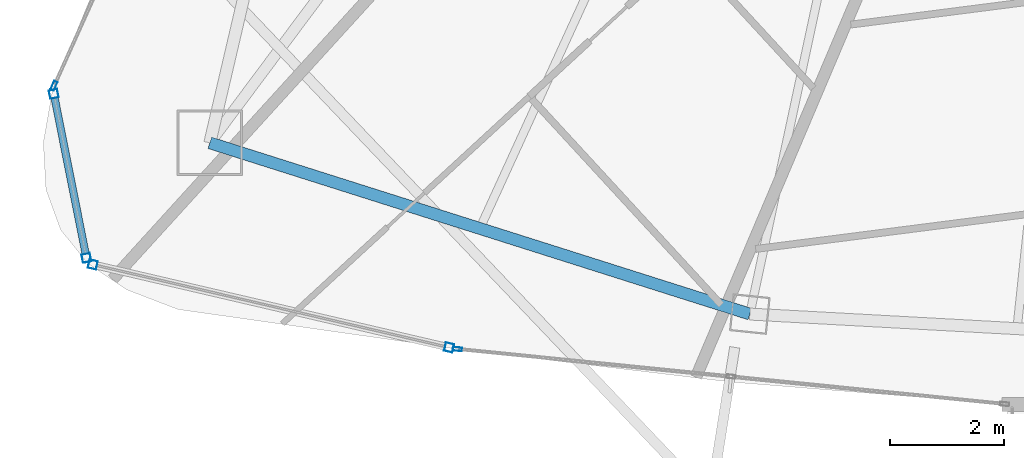
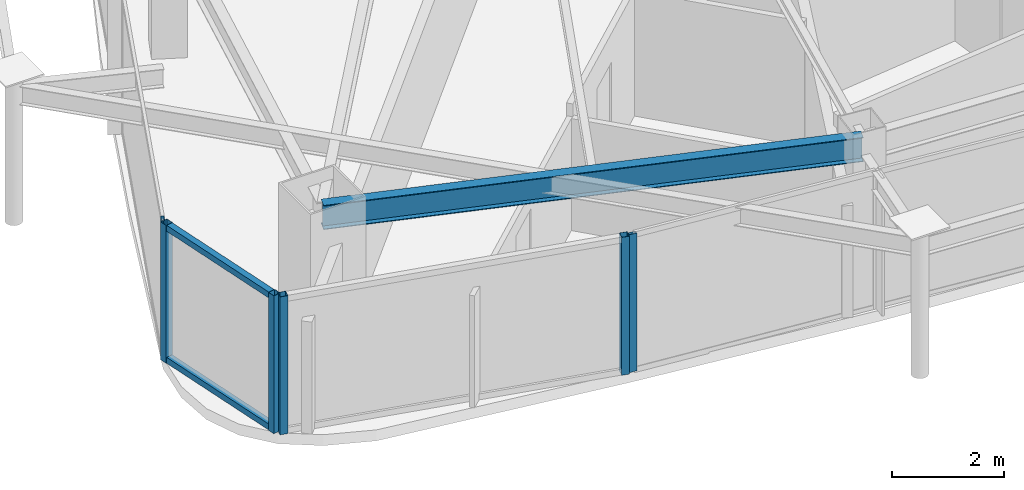
# One storey, part 2 of 30: 8 members, 1 beam, 4 elements without a shape of their own.
"""IFC4 building model written with IfcOpenShell, lengths in metres."""

from ifc_helpers import new_model, si_unit, direction, frame, origin, origin_2d, place, context, subcontext, project, spatial, hollow_rectangle, i_section, extrude, material, layer, layer_set, material_profile, profile_set, type_object, element, aggregate, save


model = new_model("IFC4")

# Units and contexts
model_context = context("Model", 3, precision=1e-05, world=origin(), true_north=direction((0.0, 1.0)))
body_context = subcontext(model_context, "Body", "Model", "MODEL_VIEW")
ifc_project = project(units=[si_unit("LENGTHUNIT", "METRE"), si_unit("AREAUNIT", "SQUARE_METRE"), si_unit("VOLUMEUNIT", "CUBIC_METRE"), si_unit("PLANEANGLEUNIT", "RADIAN"), si_unit("MASSUNIT", "GRAM", prefix="KILO")], contexts=[model_context])

# Site, building, storey
site_placement = place(None, origin())
site = spatial("IfcSite", under=ifc_project, at=site_placement, CompositionType="ELEMENT")
building_placement = place(site_placement, origin())
building = spatial("IfcBuilding", under=site, at=building_placement, Name="Orvanel Arch Residences", CompositionType="ELEMENT")
storey_placement = place(building_placement, frame((0.0, 0.0, 273.35009765625)))
storey = spatial("IfcBuildingStorey", under=building, at=storey_placement, Name="L78", CompositionType="ELEMENT", Elevation=273.35009765625)

# Curtain wall, members
ifc_material_1 = material(Name="Bronze-anodised aluminium AA6063-T6", Category="aluminium")
ifc_layer_1 = layer(ifc_material_1, 0.18994140625)
ifc_layer_set_1 = layer_set([ifc_layer_1], Name="Bronze-anodised aluminium AA6063-T6")
curtain_wall_type_1 = type_object("IfcCurtainWallType", Name="CW5-CRN-SYS", PredefinedType="NOTDEFINED", material=ifc_layer_set_1)
curtain_wall_1_placement = place(storey_placement, origin())
curtain_wall_1 = element("IfcCurtainWall", 1, at=curtain_wall_1_placement, inside=storey, type_object=curtain_wall_type_1, Name="L78 CW5-CRN-SYS Unitised Curtain Wall", PredefinedType="NOTDEFINED")
ifc_material_profile_1 = material_profile(ifc_material_1, hollow_rectangle(XDim=0.14990234375, YDim=0.14990234375, WallThickness=0.0048828125, at=origin_2d()), Name="ALU150x150x5")
ifc_profile_set_1 = profile_set([ifc_material_profile_1], Name="Bronze-anodised aluminium AA6063-T6")
member_type_1 = type_object("IfcMemberType", Name="MUL-150x150", PredefinedType="MULLION", material=ifc_profile_set_1)
member_1_placement = place(storey_placement, frame((11.46875, 11.20751953125, 0.0), z_axis=(0.0, 0.0, 1.0), x_axis=(0.980742821392, 0.195303656616, 0.0)))
member_1 = element("IfcMember", 2, at=member_1_placement, type_object=member_type_1, Name="CW-S5 mullion 1", PredefinedType="MULLION", context=body_context, shape_type="SweptSolid", body=[
    extrude(hollow_rectangle(XDim=0.14990234375, YDim=0.14990234375, WallThickness=0.0048828125, at=origin_2d()), origin(), (0.0, 0.0, 1.0), 3.02001953125),
])
member_2_placement = place(storey_placement, frame((12.040283203125, 8.336669921875, 0.0), z_axis=(0.0, 0.0, 1.0), x_axis=(0.980742821392, 0.195303656616, 0.0)))
member_2 = element("IfcMember", 3, at=member_2_placement, type_object=member_type_1, Name="CW-S5 mullion 2", PredefinedType="MULLION", context=body_context, shape_type="SweptSolid", body=[
    extrude(hollow_rectangle(XDim=0.14990234375, YDim=0.14990234375, WallThickness=0.0048828125, at=origin_2d()), origin(), (0.0, 0.0, 1.0), 3.02001953125),
])

curtain_wall_2_placement = place(storey_placement, origin())
curtain_wall_2 = element("IfcCurtainWall", 4, at=curtain_wall_2_placement, inside=storey, type_object=curtain_wall_type_1, Name="L78 CW5-CRN-SYS Unitised Curtain Wall", PredefinedType="NOTDEFINED")
member_3_placement = place(storey_placement, frame((12.151123046875, 8.220947265625, 0.0), z_axis=(0.0, 0.0, 1.0), x_axis=(0.226776107589, 0.973946916945, 0.0)))
member_3 = element("IfcMember", 5, at=member_3_placement, type_object=member_type_1, Name="CW-S5 mullion 1", PredefinedType="MULLION", context=body_context, shape_type="SweptSolid", body=[
    extrude(hollow_rectangle(XDim=0.14990234375, YDim=0.14990234375, WallThickness=0.0048828125, at=origin_2d()), origin(), (0.0, 0.0, 1.0), 3.02001953125),
])
member_4_placement = place(storey_placement, frame((18.386962890625, 6.76904296875, 0.0), z_axis=(0.0, 0.0, 1.0), x_axis=(0.226776107589, 0.973946916945, 0.0)))
member_4 = element("IfcMember", 6, at=member_4_placement, type_object=member_type_1, Name="CW-S5 mullion 2", PredefinedType="MULLION", context=body_context, shape_type="SweptSolid", body=[
    extrude(hollow_rectangle(XDim=0.14990234375, YDim=0.14990234375, WallThickness=0.0048828125, at=origin_2d()), origin(), (0.0, 0.0, 1.0), 3.02001953125),
])
aggregate(curtain_wall_2, [member_3, member_4])

# Curtain wall, member
ifc_layer_2 = layer(ifc_material_1, 0.175048828125)
ifc_layer_set_2 = layer_set([ifc_layer_2], Name="Bronze-anodised aluminium AA6063-T6")
curtain_wall_type_2 = type_object("IfcCurtainWallType", Name="CW4-HI-SYS", PredefinedType="NOTDEFINED", material=ifc_layer_set_2)
curtain_wall_3_placement = place(storey_placement, origin())
curtain_wall_3 = element("IfcCurtainWall", 7, at=curtain_wall_3_placement, inside=storey, type_object=curtain_wall_type_2, Name="L78 CW4-HI-SYS Unitised Curtain Wall", PredefinedType="NOTDEFINED")
ifc_material_profile_2 = material_profile(ifc_material_1, hollow_rectangle(XDim=0.06494140625, YDim=0.159912109375, WallThickness=0.00390625, at=origin_2d()), Name="ALU160x65x4")
ifc_profile_set_2 = profile_set([ifc_material_profile_2], Name="Bronze-anodised aluminium AA6063-T6")
member_type_2 = type_object("IfcMemberType", Name="MUL-160x65", PredefinedType="MULLION", material=ifc_profile_set_2)
member_5_placement = place(storey_placement, frame((11.471435546875, 11.3486328125, 0.0), z_axis=(0.0, 0.0, 1.0), x_axis=(0.912157920998, -0.409838903913, 0.0)))
member_5 = element("IfcMember", 8, at=member_5_placement, type_object=member_type_2, Name="CW-S4 mullion 3", PredefinedType="MULLION", context=body_context, shape_type="SweptSolid", body=[
    extrude(hollow_rectangle(XDim=0.06494140625, YDim=0.159912109375, WallThickness=0.00390625, at=origin_2d()), origin(), (0.0, 0.0, 1.0), 3.02001953125),
])
aggregate(curtain_wall_3, [member_5])

curtain_wall_4_placement = place(storey_placement, origin())
curtain_wall_4 = element("IfcCurtainWall", 9, at=curtain_wall_4_placement, inside=storey, type_object=curtain_wall_type_2, Name="L78 CW4-HI-SYS Unitised Curtain Wall", PredefinedType="NOTDEFINED")
member_6_placement = place(storey_placement, frame((18.53125, 6.74169921875, 0.0), z_axis=(0.0, 0.0, 1.0), x_axis=(0.100004397711, 0.99498699511, 0.0)))
member_6 = element("IfcMember", 10, at=member_6_placement, type_object=member_type_2, Name="CW-S4 mullion 1", PredefinedType="MULLION", context=body_context, shape_type="SweptSolid", body=[
    extrude(hollow_rectangle(XDim=0.06494140625, YDim=0.159912109375, WallThickness=0.00390625, at=origin_2d()), origin(), (0.0, 0.0, 1.0), 3.02001953125),
])
aggregate(curtain_wall_4, [member_6])

# Beam
ifc_material_2 = material(Name="Structural steel AS/NZS 3679.1 Grade 300 (300 MPa)", Category="steel")
ifc_material_profile_3 = material_profile(ifc_material_2, i_section(OverallWidth=0.208984375, OverallDepth=0.532958984375, WebThickness=0.01025390625, FlangeThickness=0.015625, at=origin_2d()), Name="530UB92.4")
ifc_profile_set_3 = profile_set([ifc_material_profile_3], Name="Structural steel AS/NZS 3679.1 Grade 300 (300 MPa)")
beam_type = type_object("IfcBeamType", Name="SP-530UB", PredefinedType="SPANDREL", material=ifc_profile_set_3)
beam_placement = place(storey_placement, frame((14.198974609375, 10.35107421875, 2.7529296875), z_axis=(0.953237386592, -0.302222574941, 0.0), x_axis=(0.302222574941, 0.953237386592, 0.0)))
element("IfcBeam", 11, at=beam_placement, inside=storey, type_object=beam_type, Name="L78 Perimeter Spandrel Beam 02", PredefinedType="SPANDREL", context=body_context, shape_type="SweptSolid", body=[
    extrude(i_section(OverallWidth=0.208984375, OverallDepth=0.532958984375, WebThickness=0.01025390625, FlangeThickness=0.015625, at=origin_2d()), origin(), (0.0, 0.0, 1.0), 9.91357421875),
])

# Member
ifc_material_profile_4 = material_profile(ifc_material_1, hollow_rectangle(XDim=0.1298828125, YDim=0.1298828125, WallThickness=0.00439453125, at=origin_2d()), Name="ALU130x130x4.5")
ifc_profile_set_4 = profile_set([ifc_material_profile_4], Name="Bronze-anodised aluminium AA6063-T6")
member_type_3 = type_object("IfcMemberType", Name="TRN-130x130", PredefinedType="USERDEFINED", material=ifc_profile_set_4)
member_7_placement = place(storey_placement, frame((11.4833984375, 11.1337890625, 0.06494140625), z_axis=(0.195253839791, -0.980752740525, 0.0), x_axis=(0.980752740525, 0.195253839791, 0.0)))
member_7 = element("IfcMember", 12, at=member_7_placement, type_object=member_type_3, Name="CW-S5 transom 1.1", ObjectType="TRANSOM", PredefinedType="USERDEFINED", context=body_context, shape_type="SweptSolid", body=[
    extrude(hollow_rectangle(XDim=0.1298828125, YDim=0.1298828125, WallThickness=0.00439453125, at=origin_2d()), origin(), (0.0, 0.0, 1.0), 2.777099609375),
])

member_8_placement = place(storey_placement, frame((11.4833984375, 11.1337890625, 2.954833984375), z_axis=(0.195253839791, -0.980752740525, 0.0), x_axis=(0.980752740525, 0.195253839791, 0.0)))
member_8 = element("IfcMember", 13, at=member_8_placement, type_object=member_type_3, Name="CW-S5 transom 1.2", ObjectType="TRANSOM", PredefinedType="USERDEFINED", context=body_context, shape_type="SweptSolid", body=[
    extrude(hollow_rectangle(XDim=0.1298828125, YDim=0.1298828125, WallThickness=0.00439453125, at=origin_2d()), origin(), (0.0, 0.0, 1.0), 2.777099609375),
])

aggregate(curtain_wall_1, [member_1, member_2, member_7, member_8])

save(model, "model.ifc")
